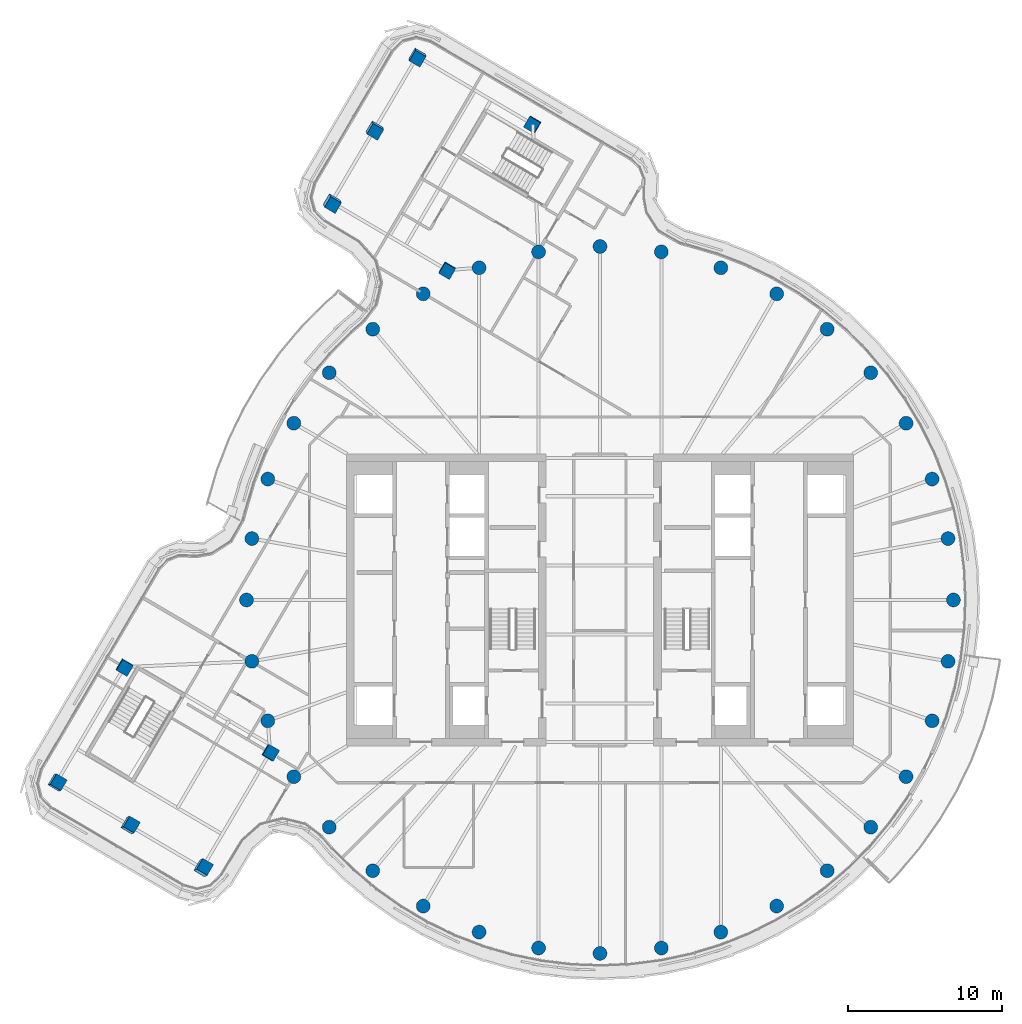
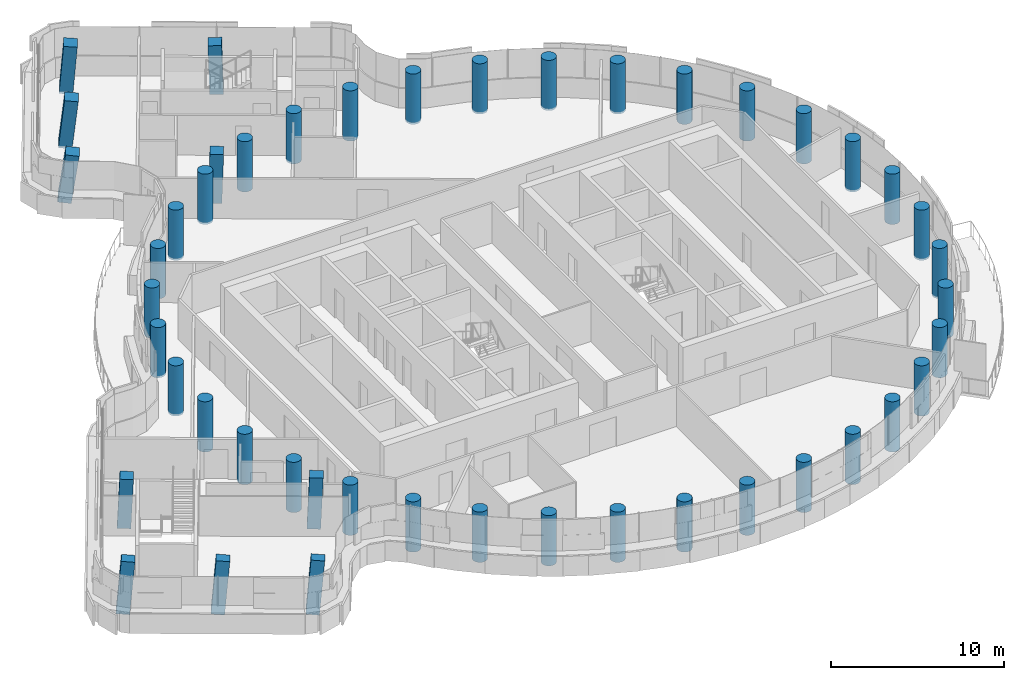
# One storey, part 1 of 26: 46 columns.
"""IFC4 building model written with IfcOpenShell, lengths in metres."""

from ifc_helpers import new_model, si_unit, direction, frame, origin, origin_2d, place, context, subcontext, project, spatial, rectangle, circle, extrude, material, material_profile, profile_set, type_object, element, save


model = new_model("IFC4")

# Units and contexts
model_context = context("Model", 3, precision=1e-05, world=origin(), true_north=direction((0.0, 1.0)))
body_context = subcontext(model_context, "Body", "Model", "MODEL_VIEW")
ifc_project = project(units=[si_unit("LENGTHUNIT", "METRE"), si_unit("AREAUNIT", "SQUARE_METRE"), si_unit("VOLUMEUNIT", "CUBIC_METRE"), si_unit("PLANEANGLEUNIT", "RADIAN"), si_unit("MASSUNIT", "GRAM", prefix="KILO")], contexts=[model_context])

# Site, building, storey
site_placement = place(None, origin())
site = spatial("IfcSite", under=ifc_project, at=site_placement, CompositionType="ELEMENT")
building_placement = place(site_placement, origin())
building = spatial("IfcBuilding", under=site, at=building_placement, Name="Tamarind Cross Interchange Tower", CompositionType="ELEMENT")
storey_placement = place(building_placement, frame((0.0, 0.0, 248.699951171875)))
storey = spatial("IfcBuildingStorey", under=building, at=storey_placement, Name="L63", CompositionType="ELEMENT", Elevation=248.699951171875)

# Columns
ifc_material = material(Name="Concrete C50", Category="concrete")
ifc_material_profile_1 = material_profile(ifc_material, rectangle(XDim=0.800048828125, YDim=0.800048828125, at=origin_2d()), Name="RC 800x800")
ifc_profile_set_1 = profile_set([ifc_material_profile_1], Name="Concrete C50")
column_type_1 = type_object("IfcColumnType", Name="Column RC 800x800 Concrete C50", PredefinedType="COLUMN", material=ifc_profile_set_1)
for number, where, z_axis, x_axis, name in (
    (1, (-9.9423828125, 21.46435546875, -0.138671875), (0.003155230399, -0.05089523818, 0.998699013343), (0.507685971552, 0.860505664301, 0.042248739576), "Column L63-045"),
    (2, (-4.368408203125, 30.947509765625, -0.138671875), (-0.045613681646, -0.022772544822, 0.998699556047), (0.861337483391, -0.507273497384, 0.027772982508), "Column L63-046"),
):
    element("IfcColumn", number, at=place(storey_placement, frame(where, z_axis=z_axis, x_axis=x_axis)), inside=storey, type_object=column_type_1, Name=name, PredefinedType="COLUMN", context=body_context, shape_type="SweptSolid", body=[
        extrude(rectangle(XDim=0.800048828125, YDim=0.800048828125, at=origin_2d()), origin(), (0.0, 0.0, 1.0), 3.559326171875),
    ])
column_1_placement = place(storey_placement, frame((-11.8896484375, 35.3681640625, -0.137939453125), z_axis=(0.020708969994, -0.110857918581, 0.993620481094), x_axis=(0.507479159503, 0.857452499838, 0.085088854685)))
element("IfcColumn", 3, at=column_1_placement, inside=storey, type_object=column_type_1, Name="Column L63-047", PredefinedType="COLUMN", context=body_context, shape_type="SweptSolid", body=[
    extrude(rectangle(XDim=0.800048828125, YDim=0.800048828125, at=origin_2d()), origin(), (0.0, 0.0, 1.0), 3.572021484375),
])
column_2_placement = place(storey_placement, frame((-14.6767578125, 30.62646484375, -0.1376953125), z_axis=(0.044850513994, -0.124463584428, 0.991209991649), x_axis=(0.5085121785, 0.856889853507, 0.084588079979)))
element("IfcColumn", 4, at=column_2_placement, inside=storey, type_object=column_type_1, Name="Column L63-048", PredefinedType="COLUMN", context=body_context, shape_type="SweptSolid", body=[
    extrude(rectangle(XDim=0.800048828125, YDim=0.800048828125, at=origin_2d()), origin(), (0.0, 0.0, 1.0), 3.581787109375),
])
column_3_placement = place(storey_placement, frame((-17.463623046875, 25.884765625, -0.137451171875), z_axis=(0.068808591822, -0.137956811442, 0.988045189183), x_axis=(0.509660839858, 0.85625889674, 0.08406265561)))
element("IfcColumn", 5, at=column_3_placement, inside=storey, type_object=column_type_1, Name="Column L63-049", PredefinedType="COLUMN", context=body_context, shape_type="SweptSolid", body=[
    extrude(rectangle(XDim=0.800048828125, YDim=0.800048828125, at=origin_2d()), origin(), (0.0, 0.0, 1.0), 3.59423828125),
])
for number, where, z_axis, x_axis, name in (
    (6, (-21.46435546875, -9.9423828125, -0.138671875), (0.050846736046, 0.003165020106, 0.998701452928), (-0.860634932562, 0.507470099414, 0.042209134729), "Column L63-052"),
    (7, (-30.947509765625, -4.368408203125, -0.138671875), (0.022774335665, -0.045617475969, 0.998699341905), (0.50727511332, 0.861336458021, 0.027775267596), "Column L63-053"),
):
    element("IfcColumn", number, at=place(storey_placement, frame(where, z_axis=z_axis, x_axis=x_axis)), inside=storey, type_object=column_type_1, Name=name, PredefinedType="COLUMN", context=body_context, shape_type="SweptSolid", body=[
        extrude(rectangle(XDim=0.800048828125, YDim=0.800048828125, at=origin_2d()), origin(), (0.0, 0.0, 1.0), 3.54833984375),
    ])
column_4_placement = place(storey_placement, frame((-35.3681640625, -11.8896484375, -0.137939453125), z_axis=(0.110853572272, 0.020643123328, 0.993622336189), x_axis=(-0.857166022761, 0.507964954346, 0.085076521909)))
element("IfcColumn", 8, at=column_4_placement, inside=storey, type_object=column_type_1, Name="Column L63-054", PredefinedType="COLUMN", context=body_context, shape_type="SweptSolid", body=[
    extrude(rectangle(XDim=0.800048828125, YDim=0.800048828125, at=origin_2d()), origin(), (0.0, 0.0, 1.0), 3.548095703125),
])
column_5_placement = place(storey_placement, frame((-30.62646484375, -14.6767578125, -0.1376953125), z_axis=(0.124451230827, 0.044898703718, 0.991209361109), x_axis=(-0.857079762468, 0.508191525405, 0.084591100442)))
element("IfcColumn", 9, at=column_5_placement, inside=storey, type_object=column_type_1, Name="Column L63-055", PredefinedType="COLUMN", context=body_context, shape_type="SweptSolid", body=[
    extrude(rectangle(XDim=0.800048828125, YDim=0.800048828125, at=origin_2d()), origin(), (0.0, 0.0, 1.0), 3.55078125),
])
column_6_placement = place(storey_placement, frame((-25.884765625, -17.463623046875, -0.137451171875), z_axis=(0.137913473061, 0.068853764798, 0.988048092464), x_axis=(-0.85645786001, 0.509328096398, 0.084052508864)))
element("IfcColumn", 10, at=column_6_placement, inside=storey, type_object=column_type_1, Name="Column L63-056", PredefinedType="COLUMN", context=body_context, shape_type="SweptSolid", body=[
    extrude(rectangle(XDim=0.800048828125, YDim=0.800048828125, at=origin_2d()), origin(), (0.0, 0.0, 1.0), 3.556396484375),
])
ifc_material_profile_2 = material_profile(ifc_material, circle(Radius=0.449951171875, at=origin_2d()), Name="RC D900")
ifc_profile_set_2 = profile_set([ifc_material_profile_2], Name="Concrete C50")
column_type_2 = type_object("IfcColumnType", Name="Column RC D900 Concrete C50", PredefinedType="COLUMN", material=ifc_profile_set_2)
for number, where, z_axis, x_axis, name in (
    (11, (23.0, 0.0, -0.139892578125), (0.0, 0.0, 1.0), (1.0, 0.0, 0.0), "Column L63-000"),
    (12, (22.650634765625, 3.993896484375, -0.139892578125), (0.0, 0.0, 1.0), (1.0, 0.0, 0.0), "Column L63-001"),
    (13, (21.613037109375, 7.866455078125, -0.139892578125), (0.0, 0.0, 1.0), (1.0, 0.0, 0.0), "Column L63-002"),
    (14, (19.918701171875, 11.5, -0.139892578125), (0.0, 0.0, 1.0), (1.0, 0.0, 0.0), "Column L63-003"),
    (15, (17.619140625, 14.7841796875, -0.139892578125), (0.0, 0.0, 1.0), (1.0, 0.0, 0.0), "Column L63-004"),
    (16, (14.7841796875, 17.619140625, -0.139892578125), (0.0, 0.0, 1.0), (1.0, 0.0, 0.0), "Column L63-005"),
    (17, (11.5, 19.918701171875, -0.139892578125), (0.0, 0.0, 1.0), (1.0, 0.0, 0.0), "Column L63-006"),
    (18, (7.866455078125, 21.613037109375, -0.139892578125), (0.0, 0.0, 1.0), (1.0, 0.0, 0.0), "Column L63-007"),
    (19, (3.993896484375, 22.650634765625, -0.139892578125), (0.0, 0.0, 1.0), (1.0, 0.0, 0.0), "Column L63-008"),
    (20, (0.0, 23.0, -0.139892578125), (0.0, 0.0, 1.0), (1.0, 0.0, 0.0), "Column L63-009"),
    (21, (-3.993896484375, 22.650634765625, -0.139892578125), (0.0, 0.0, 1.0), (1.0, 0.0, 0.0), "Column L63-010"),
    (22, (-7.866455078125, 21.613037109375, -0.139892578125), (0.0, 0.0, 1.0), (1.0, 0.0, 0.0), "Column L63-011"),
    (23, (-11.5, 19.918701171875, -0.139892578125), (0.0, 0.0, 1.0), (1.0, 0.0, 0.0), "Column L63-012"),
    (24, (-14.7841796875, 17.619140625, -0.139892578125), (0.0, 0.0, 1.0), (1.0, 0.0, 0.0), "Column L63-013"),
    (25, (-17.619140625, 14.7841796875, -0.139892578125), (0.0, 0.0, 1.0), (1.0, 0.0, 0.0), "Column L63-014"),
    (26, (-19.918701171875, 11.5, -0.139892578125), (0.0, 0.0, 1.0), (1.0, 0.0, 0.0), "Column L63-015"),
    (27, (-21.613037109375, 7.866455078125, -0.139892578125), (0.0, 0.0, 1.0), (1.0, 0.0, 0.0), "Column L63-016"),
    (28, (-22.650634765625, 3.993896484375, -0.139892578125), (0.0, 0.0, 1.0), (1.0, 0.0, 0.0), "Column L63-017"),
    (29, (-23.0, 0.0, -0.139892578125), (0.0, 0.0, 1.0), (1.0, 0.0, 0.0), "Column L63-018"),
    (30, (-22.650634765625, -3.993896484375, -0.139892578125), (0.0, 0.0, 1.0), (1.0, 0.0, 0.0), "Column L63-019"),
    (31, (-21.613037109375, -7.866455078125, -0.139892578125), (0.0, 0.0, 1.0), (1.0, 0.0, 0.0), "Column L63-020"),
    (32, (-19.918701171875, -11.5, -0.139892578125), (0.0, 0.0, 1.0), (1.0, 0.0, 0.0), "Column L63-021"),
    (33, (-17.619140625, -14.7841796875, -0.139892578125), (0.0, 0.0, 1.0), (1.0, 0.0, 0.0), "Column L63-022"),
    (34, (-14.7841796875, -17.619140625, -0.139892578125), (0.0, 0.0, 1.0), (1.0, 0.0, 0.0), "Column L63-023"),
    (35, (-11.5, -19.918701171875, -0.139892578125), (0.0, 0.0, 1.0), (1.0, 0.0, 0.0), "Column L63-024"),
    (36, (-7.866455078125, -21.613037109375, -0.139892578125), (0.0, 0.0, 1.0), (1.0, 0.0, 0.0), "Column L63-025"),
    (37, (-3.993896484375, -22.650634765625, -0.139892578125), (0.0, 0.0, 1.0), (1.0, 0.0, 0.0), "Column L63-026"),
    (38, (0.0, -23.0, -0.139892578125), (0.0, 0.0, 1.0), (1.0, 0.0, 0.0), "Column L63-027"),
    (39, (3.993896484375, -22.650634765625, -0.139892578125), (0.0, 0.0, 1.0), (1.0, 0.0, 0.0), "Column L63-028"),
    (40, (7.866455078125, -21.613037109375, -0.139892578125), (0.0, 0.0, 1.0), (1.0, 0.0, 0.0), "Column L63-029"),
    (41, (11.5, -19.918701171875, -0.139892578125), (0.0, 0.0, 1.0), (1.0, 0.0, 0.0), "Column L63-030"),
    (42, (14.7841796875, -17.619140625, -0.139892578125), (0.0, 0.0, 1.0), (1.0, 0.0, 0.0), "Column L63-031"),
    (43, (17.619140625, -14.7841796875, -0.139892578125), (0.0, 0.0, 1.0), (1.0, 0.0, 0.0), "Column L63-032"),
    (44, (19.918701171875, -11.5, -0.139892578125), (0.0, 0.0, 1.0), (1.0, 0.0, 0.0), "Column L63-033"),
    (45, (21.613037109375, -7.866455078125, -0.139892578125), (0.0, 0.0, 1.0), (1.0, 0.0, 0.0), "Column L63-034"),
    (46, (22.650634765625, -3.993896484375, -0.139892578125), (0.0, 0.0, 1.0), (1.0, 0.0, 0.0), "Column L63-035"),
):
    element("IfcColumn", number, at=place(storey_placement, frame(where, z_axis=z_axis, x_axis=x_axis)), inside=storey, type_object=column_type_2, Name=name, PredefinedType="COLUMN", context=body_context, shape_type="SweptSolid", body=[
        extrude(circle(Radius=0.449951171875, at=origin_2d()), origin(), (0.0, 0.0, 1.0), 3.56005859375),
    ])

save(model, "model.ifc")
